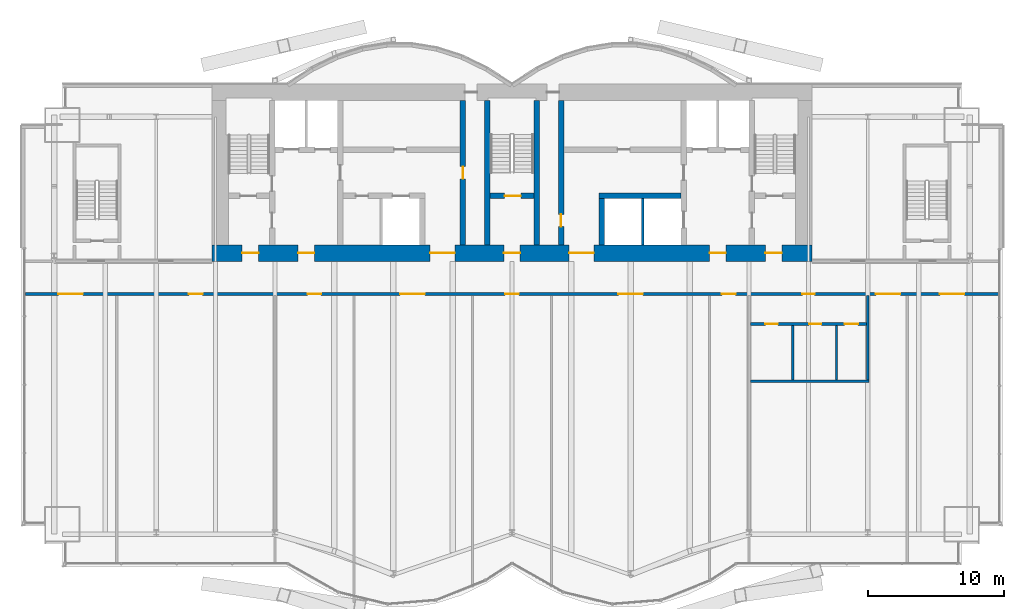
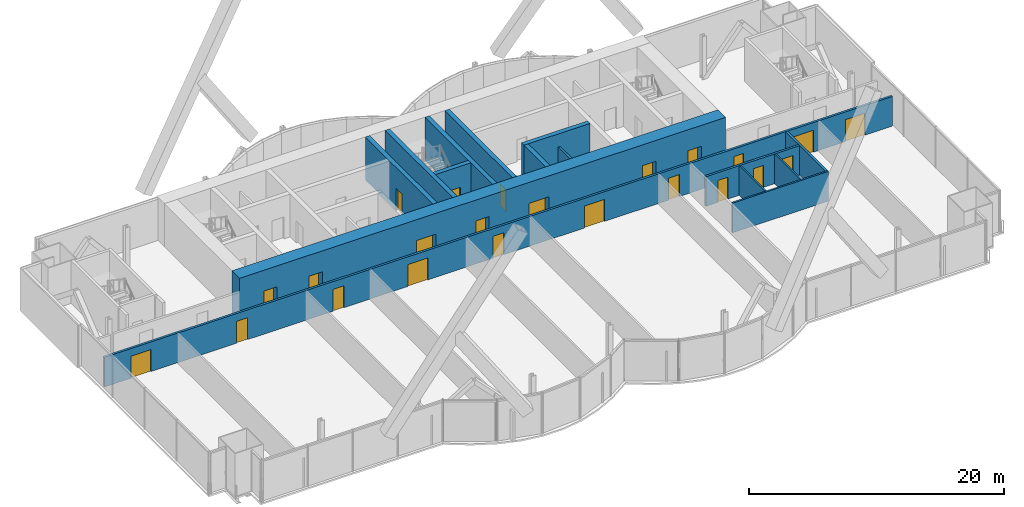
# One storey, part 18 of 23: 23 doors, 15 walls, 23 openings.
"""IFC4 building model written with IfcOpenShell, lengths in metres."""

from ifc_helpers import new_model, si_unit, direction, frame, frame_2d, origin, place, context, subcontext, project, spatial, rectangle, extrude, material, layer, layer_set, type_object, element, fill, save


model = new_model("IFC4")

# Units and contexts
model_context = context("Model", 3, precision=1e-05, world=origin(), true_north=direction((0.0, 1.0)))
body_context = subcontext(model_context, "Body", "Model", "MODEL_VIEW")
ifc_project = project(units=[si_unit("LENGTHUNIT", "METRE"), si_unit("AREAUNIT", "SQUARE_METRE"), si_unit("VOLUMEUNIT", "CUBIC_METRE"), si_unit("PLANEANGLEUNIT", "RADIAN"), si_unit("MASSUNIT", "GRAM", prefix="KILO")], contexts=[model_context])

# Site, building, storey
site_placement = place(None, origin())
site = spatial("IfcSite", under=ifc_project, at=site_placement, CompositionType="ELEMENT")
building_placement = place(site_placement, origin())
building = spatial("IfcBuilding", under=site, at=building_placement, Name="Bicima Exchange Tower", CompositionType="ELEMENT")
storey_placement = place(building_placement, frame((0.0, 0.0, 152.699951171875)))
storey = spatial("IfcBuildingStorey", under=building, at=storey_placement, Name="L33", CompositionType="ELEMENT", Elevation=152.699951171875)

# Wall
ifc_material_1 = material(Name="Gypsum board partition")
ifc_layer_1 = layer(ifc_material_1, 0.199951171875)
ifc_layer_set_1 = layer_set([ifc_layer_1], Name="Gypsum board partition")
wall_type_1 = type_object("IfcWallType", Name="Fire-rated gypsum partition 200 EI120", PredefinedType="PARTITIONING", material=ifc_layer_set_1)
wall_1_placement = place(storey_placement, frame((9.60009765625, -11.800048828125, 0.0), z_axis=(0.0, 0.0, 1.0), x_axis=(0.0, 1.0, 0.0)))
element("IfcWall", 1, at=wall_1_placement, inside=storey, type_object=wall_type_1, Name="partition wall 18", PredefinedType="PARTITIONING", context=body_context, shape_type="SweptSolid", body=[
    extrude(rectangle(XDim=3.400146484375, YDim=0.199951171875, at=frame_2d((1.7001953125, 0.0))), origin(), (0.0, 0.0, 1.0), 2.84033203125),
])

# Wall, openings, doors
ifc_layer_2 = layer(ifc_material_1, 0.199951171875)
ifc_layer_set_2 = layer_set([ifc_layer_2], Name="Gypsum board partition")
wall_type_2 = type_object("IfcWallType", Name="Fire-rated gypsum partition 200 EI60", PredefinedType="PARTITIONING", material=ifc_layer_set_2)
wall_2_placement = place(storey_placement, frame((17.5, -17.60009765625, 0.0), z_axis=(0.0, 0.0, 1.0), x_axis=(1.0, 0.0, 0.0)))
wall_2 = element("IfcWall", 2, at=wall_2_placement, inside=storey, type_object=wall_type_2, Name="partition wall 2", PredefinedType="PARTITIONING", context=body_context, shape_type="SweptSolid", body=[
    extrude(rectangle(XDim=8.5, YDim=0.199951171875, at=frame_2d((4.25, 0.0))), origin(), (0.0, 0.0, 1.0), 2.84033203125),
])
opening_1_placement = place(wall_2_placement, frame((1.10009765625, 0.0, 0.0)))
opening_1 = element("IfcOpeningElement", 3, at=opening_1_placement, cuts=wall_2, Name="Opening L33-015", PredefinedType="OPENING", context=body_context, shape_type="SweptSolid", body=[
    extrude(rectangle(XDim=0.89990234375, YDim=2.10009765625, at=frame_2d((0.449951171875, 1.050048828125))), frame((0.0, 0.11181640625, 0.0), z_axis=(0.0, -1.0, 0.0), x_axis=(1.0, 0.0, 0.0)), (0.0, 0.0, 1.0), 0.223876953125),
])
opening_2_placement = place(wall_2_placement, frame((4.300048828125, 0.0, 0.0)))
opening_2 = element("IfcOpeningElement", 4, at=opening_2_placement, cuts=wall_2, Name="Opening L33-016", PredefinedType="OPENING", context=body_context, shape_type="SweptSolid", body=[
    extrude(rectangle(XDim=0.89990234375, YDim=2.10009765625, at=frame_2d((0.449951171875, 1.050048828125))), frame((0.0, 0.11181640625, 0.0), z_axis=(0.0, -1.0, 0.0), x_axis=(1.0, 0.0, 0.0)), (0.0, 0.0, 1.0), 0.223876953125),
])
opening_3_placement = place(wall_2_placement, frame((6.89990234375, 0.0, 0.0)))
opening_3 = element("IfcOpeningElement", 5, at=opening_3_placement, cuts=wall_2, Name="Opening L33-017", PredefinedType="OPENING", context=body_context, shape_type="SweptSolid", body=[
    extrude(rectangle(XDim=1.0, YDim=2.10009765625, at=frame_2d((0.5, 1.050048828125))), frame((0.0, 0.11181640625, 0.0), z_axis=(0.0, -1.0, 0.0), x_axis=(1.0, 0.0, 0.0)), (0.0, 0.0, 1.0), 0.223876953125),
])
ifc_material_2 = material(Name="Steel fire door leaf", Category="steel")
door_type_1 = type_object("IfcDoorType", Name="Door 1000 swing FD30S", OperationType="SINGLE_SWING_LEFT", PredefinedType="DOOR", material=ifc_material_2)
door_1_placement = place(opening_3_placement, frame((1.0, 0.0, 0.0), z_axis=(0.0, 0.0, 1.0), x_axis=(-1.0, 0.0, 0.0)))
door_1 = element("IfcDoor", 6, at=door_1_placement, inside=storey, type_object=door_type_1, Name="Door", OperationType="SINGLE_SWING_RIGHT", OverallHeight=2.10009765625, OverallWidth=1.0, PredefinedType="DOOR", context=body_context, shape_type="SweptSolid", body=[
    extrude(rectangle(XDim=1.0, YDim=2.10009765625, at=frame_2d((0.5, 1.050048828125))), frame((0.0, 0.02490234375, 0.0), z_axis=(0.0, -1.0, 0.0), x_axis=(1.0, 0.0, 0.0)), (0.0, 0.0, 1.0), 0.050048828125),
])
fill(opening_3, door_1)
door_type_2 = type_object("IfcDoorType", Name="Door 900 swing FD30S", OperationType="SINGLE_SWING_LEFT", PredefinedType="DOOR", material=ifc_material_2)
door_2_placement = place(opening_1_placement, frame((0.89990234375, 0.0, 0.0), z_axis=(0.0, 0.0, 1.0), x_axis=(-1.0, 0.0, 0.0)))
door_2 = element("IfcDoor", 7, at=door_2_placement, inside=storey, type_object=door_type_2, Name="Door", OperationType="SINGLE_SWING_RIGHT", OverallHeight=2.10009765625, OverallWidth=0.89990234375, PredefinedType="DOOR", context=body_context, shape_type="SweptSolid", body=[
    extrude(rectangle(XDim=0.89990234375, YDim=2.10009765625, at=frame_2d((0.449951171875, 1.050048828125))), frame((0.0, 0.02490234375, 0.0), z_axis=(0.0, -1.0, 0.0), x_axis=(1.0, 0.0, 0.0)), (0.0, 0.0, 1.0), 0.050048828125),
])
fill(opening_1, door_2)
door_3_placement = place(opening_2_placement, frame((0.89990234375, 0.0, 0.0), z_axis=(0.0, 0.0, 1.0), x_axis=(-1.0, 0.0, 0.0)))
door_3 = element("IfcDoor", 8, at=door_3_placement, inside=storey, type_object=door_type_2, Name="Door", OperationType="SINGLE_SWING_LEFT", OverallHeight=2.10009765625, OverallWidth=0.89990234375, PredefinedType="DOOR", context=body_context, shape_type="SweptSolid", body=[
    extrude(rectangle(XDim=0.89990234375, YDim=2.10009765625, at=frame_2d((0.449951171875, 1.050048828125))), frame((0.0, 0.02490234375, 0.0), z_axis=(0.0, -1.0, 0.0), x_axis=(1.0, 0.0, 0.0)), (0.0, 0.0, 1.0), 0.050048828125),
])
fill(opening_2, door_3)

wall_3_placement = place(storey_placement, frame((-35.679931640625, -15.39990234375, 0.0), z_axis=(0.0, 0.0, 1.0), x_axis=(1.0, 0.0, 0.0)))
wall_3 = element("IfcWall", 9, at=wall_3_placement, inside=storey, type_object=wall_type_2, Name="partition wall 3", PredefinedType="PARTITIONING", context=body_context, shape_type="SweptSolid", body=[
    extrude(rectangle(XDim=71.35986328125, YDim=0.199951171875, at=frame_2d((35.679931640625, 0.0))), origin(), (0.0, 0.0, 1.0), 2.84033203125),
])
opening_4_placement = place(wall_3_placement, frame((2.39990234375, 0.0, 0.0)))
opening_4 = element("IfcOpeningElement", 10, at=opening_4_placement, cuts=wall_3, Name="Opening L33-007", PredefinedType="OPENING", context=body_context, shape_type="SweptSolid", body=[
    extrude(rectangle(XDim=1.800048828125, YDim=2.10009765625, at=frame_2d((0.89990234375, 1.050048828125))), frame((0.0, 0.11181640625, 0.0), z_axis=(0.0, -1.0, 0.0), x_axis=(1.0, 0.0, 0.0)), (0.0, 0.0, 1.0), 0.223876953125),
])
opening_5_placement = place(wall_3_placement, frame((11.97998046875, 0.0, 0.0)))
opening_5 = element("IfcOpeningElement", 11, at=opening_5_placement, cuts=wall_3, Name="Opening L33-008", PredefinedType="OPENING", context=body_context, shape_type="SweptSolid", body=[
    extrude(rectangle(XDim=1.0, YDim=2.10009765625, at=frame_2d((0.5, 1.050048828125))), frame((0.0, 0.11181640625, 0.0), z_axis=(0.0, -1.0, 0.0), x_axis=(1.0, 0.0, 0.0)), (0.0, 0.0, 1.0), 0.223876953125),
])
opening_6_placement = place(wall_3_placement, frame((20.679931640625, 0.0, 0.0)))
opening_6 = element("IfcOpeningElement", 12, at=opening_6_placement, cuts=wall_3, Name="Opening L33-009", PredefinedType="OPENING", context=body_context, shape_type="SweptSolid", body=[
    extrude(rectangle(XDim=1.0, YDim=2.10009765625, at=frame_2d((0.5, 1.050048828125))), frame((0.0, 0.11181640625, 0.0), z_axis=(0.0, -1.0, 0.0), x_axis=(1.0, 0.0, 0.0)), (0.0, 0.0, 1.0), 0.223876953125),
])
opening_7_placement = place(wall_3_placement, frame((27.47998046875, 0.0, 0.0)))
opening_7 = element("IfcOpeningElement", 13, at=opening_7_placement, cuts=wall_3, Name="Opening L33-010", PredefinedType="OPENING", context=body_context, shape_type="SweptSolid", body=[
    extrude(rectangle(XDim=1.800048828125, YDim=2.10009765625, at=frame_2d((0.89990234375, 1.050048828125))), frame((0.0, 0.11181640625, 0.0), z_axis=(0.0, -1.0, 0.0), x_axis=(1.0, 0.0, 0.0)), (0.0, 0.0, 1.0), 0.223876953125),
])
opening_8_placement = place(wall_3_placement, frame((35.179931640625, 0.0, 0.0)))
opening_8 = element("IfcOpeningElement", 14, at=opening_8_placement, cuts=wall_3, Name="Opening L33-011", PredefinedType="OPENING", context=body_context, shape_type="SweptSolid", body=[
    extrude(rectangle(XDim=1.0, YDim=2.10009765625, at=frame_2d((0.5, 1.050048828125))), frame((0.0, 0.11181640625, 0.0), z_axis=(0.0, -1.0, 0.0), x_axis=(1.0, 0.0, 0.0)), (0.0, 0.0, 1.0), 0.223876953125),
])
opening_9_placement = place(wall_3_placement, frame((43.47998046875, 0.0, 0.0)))
opening_9 = element("IfcOpeningElement", 15, at=opening_9_placement, cuts=wall_3, Name="Opening L33-012", PredefinedType="OPENING", context=body_context, shape_type="SweptSolid", body=[
    extrude(rectangle(XDim=1.800048828125, YDim=2.10009765625, at=frame_2d((0.89990234375, 1.050048828125))), frame((0.0, 0.11181640625, 0.0), z_axis=(0.0, -1.0, 0.0), x_axis=(1.0, 0.0, 0.0)), (0.0, 0.0, 1.0), 0.223876953125),
])
opening_10_placement = place(wall_3_placement, frame((51.080078125, 0.0, 0.0)))
opening_10 = element("IfcOpeningElement", 16, at=opening_10_placement, cuts=wall_3, Name="Opening L33-013", PredefinedType="OPENING", context=body_context, shape_type="SweptSolid", body=[
    extrude(rectangle(XDim=1.0, YDim=2.10009765625, at=frame_2d((0.5, 1.050048828125))), frame((0.0, 0.11181640625, 0.0), z_axis=(0.0, -1.0, 0.0), x_axis=(1.0, 0.0, 0.0)), (0.0, 0.0, 1.0), 0.223876953125),
])
opening_11_placement = place(wall_3_placement, frame((56.97998046875, 0.0, 0.0)))
opening_11 = element("IfcOpeningElement", 17, at=opening_11_placement, cuts=wall_3, Name="Opening L33-014", PredefinedType="OPENING", context=body_context, shape_type="SweptSolid", body=[
    extrude(rectangle(XDim=0.89990234375, YDim=2.10009765625, at=frame_2d((0.449951171875, 1.050048828125))), frame((0.0, 0.11181640625, 0.0), z_axis=(0.0, -1.0, 0.0), x_axis=(1.0, 0.0, 0.0)), (0.0, 0.0, 1.0), 0.223876953125),
])
opening_12_placement = place(wall_3_placement, frame((62.3798828125, 0.0, 0.0)))
opening_12 = element("IfcOpeningElement", 18, at=opening_12_placement, cuts=wall_3, Name="Opening L33-018", PredefinedType="OPENING", context=body_context, shape_type="SweptSolid", body=[
    extrude(rectangle(XDim=1.800048828125, YDim=2.10009765625, at=frame_2d((0.89990234375, 1.050048828125))), frame((0.0, 0.11181640625, 0.0), z_axis=(0.0, -1.0, 0.0), x_axis=(1.0, 0.0, 0.0)), (0.0, 0.0, 1.0), 0.223876953125),
])
opening_13_placement = place(wall_3_placement, frame((67.080078125, 0.0, 0.0)))
opening_13 = element("IfcOpeningElement", 19, at=opening_13_placement, cuts=wall_3, Name="Opening L33-019", PredefinedType="OPENING", context=body_context, shape_type="SweptSolid", body=[
    extrude(rectangle(XDim=1.800048828125, YDim=2.10009765625, at=frame_2d((0.89990234375, 1.050048828125))), frame((0.0, 0.11181640625, 0.0), z_axis=(0.0, -1.0, 0.0), x_axis=(1.0, 0.0, 0.0)), (0.0, 0.0, 1.0), 0.223876953125),
])
door_4_placement = place(opening_5_placement, frame((1.0, 0.0, 0.0), z_axis=(0.0, 0.0, 1.0), x_axis=(-1.0, 0.0, 0.0)))
door_4 = element("IfcDoor", 20, at=door_4_placement, inside=storey, type_object=door_type_1, Name="Door", OperationType="SINGLE_SWING_RIGHT", OverallHeight=2.10009765625, OverallWidth=1.0, PredefinedType="DOOR", context=body_context, shape_type="SweptSolid", body=[
    extrude(rectangle(XDim=1.0, YDim=2.10009765625, at=frame_2d((0.5, 1.050048828125))), frame((0.0, 0.02490234375, 0.0), z_axis=(0.0, -1.0, 0.0), x_axis=(1.0, 0.0, 0.0)), (0.0, 0.0, 1.0), 0.050048828125),
])
fill(opening_5, door_4)
door_5_placement = place(opening_6_placement, frame((1.0, 0.0, 0.0), z_axis=(0.0, 0.0, 1.0), x_axis=(-1.0, 0.0, 0.0)))
door_5 = element("IfcDoor", 21, at=door_5_placement, inside=storey, type_object=door_type_1, Name="Door", OperationType="SINGLE_SWING_RIGHT", OverallHeight=2.10009765625, OverallWidth=1.0, PredefinedType="DOOR", context=body_context, shape_type="SweptSolid", body=[
    extrude(rectangle(XDim=1.0, YDim=2.10009765625, at=frame_2d((0.5, 1.050048828125))), frame((0.0, 0.02490234375, 0.0), z_axis=(0.0, -1.0, 0.0), x_axis=(1.0, 0.0, 0.0)), (0.0, 0.0, 1.0), 0.050048828125),
])
fill(opening_6, door_5)
door_6_placement = place(opening_8_placement, frame((1.0, 0.0, 0.0), z_axis=(0.0, 0.0, 1.0), x_axis=(-1.0, 0.0, 0.0)))
door_6 = element("IfcDoor", 22, at=door_6_placement, inside=storey, type_object=door_type_1, Name="Door", OperationType="SINGLE_SWING_RIGHT", OverallHeight=2.10009765625, OverallWidth=1.0, PredefinedType="DOOR", context=body_context, shape_type="SweptSolid", body=[
    extrude(rectangle(XDim=1.0, YDim=2.10009765625, at=frame_2d((0.5, 1.050048828125))), frame((0.0, 0.02490234375, 0.0), z_axis=(0.0, -1.0, 0.0), x_axis=(1.0, 0.0, 0.0)), (0.0, 0.0, 1.0), 0.050048828125),
])
fill(opening_8, door_6)
door_7_placement = place(opening_10_placement, frame((1.0, 0.0, 0.0), z_axis=(0.0, 0.0, 1.0), x_axis=(-1.0, 0.0, 0.0)))
door_7 = element("IfcDoor", 23, at=door_7_placement, inside=storey, type_object=door_type_1, Name="Door", OperationType="SINGLE_SWING_LEFT", OverallHeight=2.10009765625, OverallWidth=1.0, PredefinedType="DOOR", context=body_context, shape_type="SweptSolid", body=[
    extrude(rectangle(XDim=1.0, YDim=2.10009765625, at=frame_2d((0.5, 1.050048828125))), frame((0.0, 0.02490234375, 0.0), z_axis=(0.0, -1.0, 0.0), x_axis=(1.0, 0.0, 0.0)), (0.0, 0.0, 1.0), 0.050048828125),
])
fill(opening_10, door_7)
door_type_3 = type_object("IfcDoorType", Name="Door 1800 double swing FD30S", OperationType="DOUBLE_DOOR_SINGLE_SWING", PredefinedType="DOOR", material=ifc_material_2)
door_8_placement = place(opening_4_placement, origin())
door_8 = element("IfcDoor", 24, at=door_8_placement, inside=storey, type_object=door_type_3, Name="Door", OperationType="SINGLE_SWING_LEFT", OverallHeight=2.10009765625, OverallWidth=1.800048828125, PredefinedType="DOOR", context=body_context, shape_type="SweptSolid", body=[
    extrude(rectangle(XDim=1.800048828125, YDim=2.10009765625, at=frame_2d((0.89990234375, 1.050048828125))), frame((0.0, 0.02490234375, 0.0), z_axis=(0.0, -1.0, 0.0), x_axis=(1.0, 0.0, 0.0)), (0.0, 0.0, 1.0), 0.050048828125),
])
fill(opening_4, door_8)
door_9_placement = place(opening_7_placement, origin())
door_9 = element("IfcDoor", 25, at=door_9_placement, inside=storey, type_object=door_type_3, Name="Door", OperationType="SINGLE_SWING_LEFT", OverallHeight=2.10009765625, OverallWidth=1.800048828125, PredefinedType="DOOR", context=body_context, shape_type="SweptSolid", body=[
    extrude(rectangle(XDim=1.800048828125, YDim=2.10009765625, at=frame_2d((0.89990234375, 1.050048828125))), frame((0.0, 0.02490234375, 0.0), z_axis=(0.0, -1.0, 0.0), x_axis=(1.0, 0.0, 0.0)), (0.0, 0.0, 1.0), 0.050048828125),
])
fill(opening_7, door_9)
door_10_placement = place(opening_9_placement, origin())
door_10 = element("IfcDoor", 26, at=door_10_placement, inside=storey, type_object=door_type_3, Name="Door", OperationType="SINGLE_SWING_LEFT", OverallHeight=2.10009765625, OverallWidth=1.800048828125, PredefinedType="DOOR", context=body_context, shape_type="SweptSolid", body=[
    extrude(rectangle(XDim=1.800048828125, YDim=2.10009765625, at=frame_2d((0.89990234375, 1.050048828125))), frame((0.0, 0.02490234375, 0.0), z_axis=(0.0, -1.0, 0.0), x_axis=(1.0, 0.0, 0.0)), (0.0, 0.0, 1.0), 0.050048828125),
])
fill(opening_9, door_10)
door_11_placement = place(opening_12_placement, origin())
door_11 = element("IfcDoor", 27, at=door_11_placement, inside=storey, type_object=door_type_3, Name="Door", OperationType="SINGLE_SWING_LEFT", OverallHeight=2.10009765625, OverallWidth=1.800048828125, PredefinedType="DOOR", context=body_context, shape_type="SweptSolid", body=[
    extrude(rectangle(XDim=1.800048828125, YDim=2.10009765625, at=frame_2d((0.89990234375, 1.050048828125))), frame((0.0, 0.02490234375, 0.0), z_axis=(0.0, -1.0, 0.0), x_axis=(1.0, 0.0, 0.0)), (0.0, 0.0, 1.0), 0.050048828125),
])
fill(opening_12, door_11)
door_12_placement = place(opening_13_placement, origin())
door_12 = element("IfcDoor", 28, at=door_12_placement, inside=storey, type_object=door_type_3, Name="Door", OperationType="SINGLE_SWING_LEFT", OverallHeight=2.10009765625, OverallWidth=1.800048828125, PredefinedType="DOOR", context=body_context, shape_type="SweptSolid", body=[
    extrude(rectangle(XDim=1.800048828125, YDim=2.10009765625, at=frame_2d((0.89990234375, 1.050048828125))), frame((0.0, 0.02490234375, 0.0), z_axis=(0.0, -1.0, 0.0), x_axis=(1.0, 0.0, 0.0)), (0.0, 0.0, 1.0), 0.050048828125),
])
fill(opening_13, door_12)
door_13_placement = place(opening_11_placement, frame((0.89990234375, 0.0, 0.0), z_axis=(0.0, 0.0, 1.0), x_axis=(-1.0, 0.0, 0.0)))
door_13 = element("IfcDoor", 29, at=door_13_placement, inside=storey, type_object=door_type_2, Name="Door", OperationType="SINGLE_SWING_RIGHT", OverallHeight=2.10009765625, OverallWidth=0.89990234375, PredefinedType="DOOR", context=body_context, shape_type="SweptSolid", body=[
    extrude(rectangle(XDim=0.89990234375, YDim=2.10009765625, at=frame_2d((0.449951171875, 1.050048828125))), frame((0.0, 0.02490234375, 0.0), z_axis=(0.0, -1.0, 0.0), x_axis=(1.0, 0.0, 0.0)), (0.0, 0.0, 1.0), 0.050048828125),
])
fill(opening_11, door_13)

# Walls
wall_4_placement = place(storey_placement, frame((26.10009765625, -21.72509765625, 0.0), z_axis=(0.0, 0.0, 1.0), x_axis=(0.0, 1.0, 0.0)))
element("IfcWall", 30, at=wall_4_placement, inside=storey, type_object=wall_type_2, Name="partition wall 27", PredefinedType="PARTITIONING", context=body_context, shape_type="SweptSolid", body=[
    extrude(rectangle(XDim=6.22509765625, YDim=0.199951171875, at=frame_2d((3.112548828125, 0.0))), origin(), (0.0, 0.0, 1.0), 2.84033203125),
])
ifc_layer_3 = layer(ifc_material_1, 0.14990234375)
ifc_layer_set_3 = layer_set([ifc_layer_3], Name="Gypsum board partition")
wall_type_3 = type_object("IfcWallType", Name="Gypsum partition 150", PredefinedType="PARTITIONING", material=ifc_layer_set_3)
wall_5_placement = place(storey_placement, frame((17.5, -21.800048828125, 0.0), z_axis=(0.0, 0.0, 1.0), x_axis=(1.0, 0.0, 0.0)))
element("IfcWall", 31, at=wall_5_placement, inside=storey, type_object=wall_type_3, Name="partition wall 1", PredefinedType="PARTITIONING", context=body_context, shape_type="SweptSolid", body=[
    extrude(rectangle(XDim=8.699951171875, YDim=0.14990234375, at=frame_2d((4.35009765625, 0.0))), origin(), (0.0, 0.0, 1.0), 2.84033203125),
])
for number, where, z_axis, x_axis, name in (
    (32, (20.60009765625, -21.72509765625, 0.0), (0.0, 0.0, 1.0), (0.0, 1.0, 0.0), "partition wall 25"),
    (33, (23.800048828125, -21.72509765625, 0.0), (0.0, 0.0, 1.0), (0.0, 1.0, 0.0), "partition wall 26"),
):
    element("IfcWall", number, at=place(storey_placement, frame(where, z_axis=z_axis, x_axis=x_axis)), inside=storey, type_object=wall_type_3, Name=name, PredefinedType="PARTITIONING", context=body_context, shape_type="SweptSolid", body=[
        extrude(rectangle(XDim=4.025146484375, YDim=0.14990234375, at=frame_2d((2.0126953125, 0.0))), origin(), (0.0, 0.0, 1.0), 2.84033203125),
    ])

# Wall, openings, doors
ifc_material_3 = material(Name="Concrete C50/60", Category="concrete")
ifc_layer_4 = layer(ifc_material_3, 1.199951171875)
ifc_layer_set_4 = layer_set([ifc_layer_4], Name="Concrete C50/60")
wall_type_4 = type_object("IfcWallType", Name="RC core wall 1200 C50/60", PredefinedType="SHEAR", material=ifc_layer_set_4)
wall_6_placement = place(storey_placement, frame((-22.0, -12.39990234375, 0.0), z_axis=(0.0, 0.0, 1.0), x_axis=(1.0, 0.0, 0.0)))
wall_6 = element("IfcWall", 34, at=wall_6_placement, inside=storey, type_object=wall_type_4, Name="Core wall south", PredefinedType="SHEAR", context=body_context, shape_type="SweptSolid", body=[
    extrude(rectangle(XDim=44.0, YDim=1.199951171875, at=frame_2d((22.0, 0.0))), origin(), (0.0, 0.0, 1.0), 4.10009765625),
])
opening_14_placement = place(wall_6_placement, frame((2.199951171875, 0.0, 0.0)))
opening_14 = element("IfcOpeningElement", 35, at=opening_14_placement, cuts=wall_6, Name="Opening L33-C17", PredefinedType="OPENING", context=body_context, shape_type="SweptSolid", body=[
    extrude(rectangle(XDim=1.199951171875, YDim=2.10009765625, at=frame_2d((0.60009765625, 1.050048828125))), frame((0.0, 0.61181640625, 0.0), z_axis=(0.0, -1.0, 0.0), x_axis=(1.0, 0.0, 0.0)), (0.0, 0.0, 1.0), 1.223876953125),
])
opening_15_placement = place(wall_6_placement, frame((21.39990234375, 0.0, 0.0)))
opening_15 = element("IfcOpeningElement", 36, at=opening_15_placement, cuts=wall_6, Name="Opening L33-C18", PredefinedType="OPENING", context=body_context, shape_type="SweptSolid", body=[
    extrude(rectangle(XDim=1.199951171875, YDim=2.10009765625, at=frame_2d((0.60009765625, 1.050048828125))), frame((0.0, 0.61181640625, 0.0), z_axis=(0.0, -1.0, 0.0), x_axis=(1.0, 0.0, 0.0)), (0.0, 0.0, 1.0), 1.223876953125),
])
opening_16_placement = place(wall_6_placement, frame((40.60009765625, 0.0, 0.0)))
opening_16 = element("IfcOpeningElement", 37, at=opening_16_placement, cuts=wall_6, Name="Opening L33-C19", PredefinedType="OPENING", context=body_context, shape_type="SweptSolid", body=[
    extrude(rectangle(XDim=1.199951171875, YDim=2.10009765625, at=frame_2d((0.60009765625, 1.050048828125))), frame((0.0, 0.61181640625, 0.0), z_axis=(0.0, -1.0, 0.0), x_axis=(1.0, 0.0, 0.0)), (0.0, 0.0, 1.0), 1.223876953125),
])
opening_17_placement = place(wall_6_placement, frame((16.0, 0.0, 0.0)))
opening_17 = element("IfcOpeningElement", 38, at=opening_17_placement, cuts=wall_6, Name="Opening L33-C20", PredefinedType="OPENING", context=body_context, shape_type="SweptSolid", body=[
    extrude(rectangle(XDim=1.800048828125, YDim=2.10009765625, at=frame_2d((0.89990234375, 1.050048828125))), frame((0.0, 0.61181640625, 0.0), z_axis=(0.0, -1.0, 0.0), x_axis=(1.0, 0.0, 0.0)), (0.0, 0.0, 1.0), 1.223876953125),
])
opening_18_placement = place(wall_6_placement, frame((6.300048828125, 0.0, 0.0)))
opening_18 = element("IfcOpeningElement", 39, at=opening_18_placement, cuts=wall_6, Name="Opening L33-C21", PredefinedType="OPENING", context=body_context, shape_type="SweptSolid", body=[
    extrude(rectangle(XDim=1.199951171875, YDim=2.10009765625, at=frame_2d((0.60009765625, 1.050048828125))), frame((0.0, 0.61181640625, 0.0), z_axis=(0.0, -1.0, 0.0), x_axis=(1.0, 0.0, 0.0)), (0.0, 0.0, 1.0), 1.223876953125),
])
opening_19_placement = place(wall_6_placement, frame((26.199951171875, 0.0, 0.0)))
opening_19 = element("IfcOpeningElement", 40, at=opening_19_placement, cuts=wall_6, Name="Opening L33-C22", PredefinedType="OPENING", context=body_context, shape_type="SweptSolid", body=[
    extrude(rectangle(XDim=1.800048828125, YDim=2.10009765625, at=frame_2d((0.89990234375, 1.050048828125))), frame((0.0, 0.61181640625, 0.0), z_axis=(0.0, -1.0, 0.0), x_axis=(1.0, 0.0, 0.0)), (0.0, 0.0, 1.0), 1.223876953125),
])
opening_20_placement = place(wall_6_placement, frame((36.5, 0.0, 0.0)))
opening_20 = element("IfcOpeningElement", 41, at=opening_20_placement, cuts=wall_6, Name="Opening L33-C23", PredefinedType="OPENING", context=body_context, shape_type="SweptSolid", body=[
    extrude(rectangle(XDim=1.199951171875, YDim=2.10009765625, at=frame_2d((0.60009765625, 1.050048828125))), frame((0.0, 0.61181640625, 0.0), z_axis=(0.0, -1.0, 0.0), x_axis=(1.0, 0.0, 0.0)), (0.0, 0.0, 1.0), 1.223876953125),
])
door_type_4 = type_object("IfcDoorType", Name="Door 1200 swing FD60S", OperationType="SINGLE_SWING_LEFT", PredefinedType="DOOR", material=ifc_material_2)
door_14_placement = place(opening_14_placement, frame((1.199951171875, 0.0, 0.0), z_axis=(0.0, 0.0, 1.0), x_axis=(-1.0, 0.0, 0.0)))
door_14 = element("IfcDoor", 42, at=door_14_placement, inside=storey, type_object=door_type_4, Name="Core door", OperationType="SINGLE_SWING_RIGHT", OverallHeight=2.10009765625, OverallWidth=1.199951171875, PredefinedType="DOOR", context=body_context, shape_type="SweptSolid", body=[
    extrude(rectangle(XDim=1.199951171875, YDim=2.10009765625, at=frame_2d((0.60009765625, 1.050048828125))), frame((0.0, 0.02490234375, 0.0), z_axis=(0.0, -1.0, 0.0), x_axis=(1.0, 0.0, 0.0)), (0.0, 0.0, 1.0), 0.050048828125),
])
fill(opening_14, door_14)
door_15_placement = place(opening_15_placement, frame((1.199951171875, 0.0, 0.0), z_axis=(0.0, 0.0, 1.0), x_axis=(-1.0, 0.0, 0.0)))
door_15 = element("IfcDoor", 43, at=door_15_placement, inside=storey, type_object=door_type_4, Name="Core door", OperationType="SINGLE_SWING_RIGHT", OverallHeight=2.10009765625, OverallWidth=1.199951171875, PredefinedType="DOOR", context=body_context, shape_type="SweptSolid", body=[
    extrude(rectangle(XDim=1.199951171875, YDim=2.10009765625, at=frame_2d((0.60009765625, 1.050048828125))), frame((0.0, 0.02490234375, 0.0), z_axis=(0.0, -1.0, 0.0), x_axis=(1.0, 0.0, 0.0)), (0.0, 0.0, 1.0), 0.050048828125),
])
fill(opening_15, door_15)
door_16_placement = place(opening_16_placement, frame((1.199951171875, 0.0, 0.0), z_axis=(0.0, 0.0, 1.0), x_axis=(-1.0, 0.0, 0.0)))
door_16 = element("IfcDoor", 44, at=door_16_placement, inside=storey, type_object=door_type_4, Name="Core door", OperationType="SINGLE_SWING_RIGHT", OverallHeight=2.10009765625, OverallWidth=1.199951171875, PredefinedType="DOOR", context=body_context, shape_type="SweptSolid", body=[
    extrude(rectangle(XDim=1.199951171875, YDim=2.10009765625, at=frame_2d((0.60009765625, 1.050048828125))), frame((0.0, 0.02490234375, 0.0), z_axis=(0.0, -1.0, 0.0), x_axis=(1.0, 0.0, 0.0)), (0.0, 0.0, 1.0), 0.050048828125),
])
fill(opening_16, door_16)
door_17_placement = place(opening_18_placement, frame((1.199951171875, 0.0, 0.0), z_axis=(0.0, 0.0, 1.0), x_axis=(-1.0, 0.0, 0.0)))
door_17 = element("IfcDoor", 45, at=door_17_placement, inside=storey, type_object=door_type_4, Name="Core door", OperationType="SINGLE_SWING_RIGHT", OverallHeight=2.10009765625, OverallWidth=1.199951171875, PredefinedType="DOOR", context=body_context, shape_type="SweptSolid", body=[
    extrude(rectangle(XDim=1.199951171875, YDim=2.10009765625, at=frame_2d((0.60009765625, 1.050048828125))), frame((0.0, 0.02490234375, 0.0), z_axis=(0.0, -1.0, 0.0), x_axis=(1.0, 0.0, 0.0)), (0.0, 0.0, 1.0), 0.050048828125),
])
fill(opening_18, door_17)
door_18_placement = place(opening_20_placement, frame((1.199951171875, 0.0, 0.0), z_axis=(0.0, 0.0, 1.0), x_axis=(-1.0, 0.0, 0.0)))
door_18 = element("IfcDoor", 46, at=door_18_placement, inside=storey, type_object=door_type_4, Name="Core door", OperationType="SINGLE_SWING_RIGHT", OverallHeight=2.10009765625, OverallWidth=1.199951171875, PredefinedType="DOOR", context=body_context, shape_type="SweptSolid", body=[
    extrude(rectangle(XDim=1.199951171875, YDim=2.10009765625, at=frame_2d((0.60009765625, 1.050048828125))), frame((0.0, 0.02490234375, 0.0), z_axis=(0.0, -1.0, 0.0), x_axis=(1.0, 0.0, 0.0)), (0.0, 0.0, 1.0), 0.050048828125),
])
fill(opening_20, door_18)
door_19_placement = place(opening_17_placement, origin())
door_19 = element("IfcDoor", 47, at=door_19_placement, inside=storey, type_object=door_type_3, Name="Core door", OperationType="SINGLE_SWING_LEFT", OverallHeight=2.10009765625, OverallWidth=1.800048828125, PredefinedType="DOOR", context=body_context, shape_type="SweptSolid", body=[
    extrude(rectangle(XDim=1.800048828125, YDim=2.10009765625, at=frame_2d((0.89990234375, 1.050048828125))), frame((0.0, 0.02490234375, 0.0), z_axis=(0.0, -1.0, 0.0), x_axis=(1.0, 0.0, 0.0)), (0.0, 0.0, 1.0), 0.050048828125),
])
fill(opening_17, door_19)
door_20_placement = place(opening_19_placement, origin())
door_20 = element("IfcDoor", 48, at=door_20_placement, inside=storey, type_object=door_type_3, Name="Core door", OperationType="SINGLE_SWING_LEFT", OverallHeight=2.10009765625, OverallWidth=1.800048828125, PredefinedType="DOOR", context=body_context, shape_type="SweptSolid", body=[
    extrude(rectangle(XDim=1.800048828125, YDim=2.10009765625, at=frame_2d((0.89990234375, 1.050048828125))), frame((0.0, 0.02490234375, 0.0), z_axis=(0.0, -1.0, 0.0), x_axis=(1.0, 0.0, 0.0)), (0.0, 0.0, 1.0), 0.050048828125),
])
fill(opening_19, door_20)

# Wall, opening, door
ifc_layer_5 = layer(ifc_material_3, 0.39990234375)
ifc_layer_set_5 = layer_set([ifc_layer_5], Name="Concrete C50/60")
wall_type_5 = type_object("IfcWallType", Name="RC core wall 400 C50/60", PredefinedType="SHEAR", material=ifc_layer_set_5)
wall_7_placement = place(storey_placement, frame((-1.60009765625, -8.199951171875, 0.0), z_axis=(0.0, 0.0, 1.0), x_axis=(1.0, 0.0, 0.0)))
wall_7 = element("IfcWall", 49, at=wall_7_placement, inside=storey, type_object=wall_type_5, Name="stair wall 3", PredefinedType="SHEAR", context=body_context, shape_type="SweptSolid", body=[
    extrude(rectangle(XDim=3.2001953125, YDim=0.39990234375, at=frame_2d((1.60009765625, 0.0))), origin(), (0.0, 0.0, 1.0), 4.10009765625),
])
opening_21_placement = place(wall_7_placement, frame((1.050048828125, 0.0, 0.0)))
opening_21 = element("IfcOpeningElement", 50, at=opening_21_placement, cuts=wall_7, Name="Opening L33-C03", PredefinedType="OPENING", context=body_context, shape_type="SweptSolid", body=[
    extrude(rectangle(XDim=1.199951171875, YDim=2.10009765625, at=frame_2d((0.60009765625, 1.050048828125))), frame((0.0, 0.2119140625, 0.0), z_axis=(0.0, -1.0, 0.0), x_axis=(1.0, 0.0, 0.0)), (0.0, 0.0, 1.0), 0.423828125),
])
door_21_placement = place(opening_21_placement, origin())
door_21 = element("IfcDoor", 51, at=door_21_placement, inside=storey, type_object=door_type_4, Name="Core door", OperationType="SINGLE_SWING_LEFT", OverallHeight=2.10009765625, OverallWidth=1.199951171875, PredefinedType="DOOR", context=body_context, shape_type="SweptSolid", body=[
    extrude(rectangle(XDim=1.199951171875, YDim=2.10009765625, at=frame_2d((0.60009765625, 1.050048828125))), frame((0.0, 0.02490234375, 0.0), z_axis=(0.0, -1.0, 0.0), x_axis=(1.0, 0.0, 0.0)), (0.0, 0.0, 1.0), 0.050048828125),
])
fill(opening_21, door_21)

# Wall
wall_8_placement = place(storey_placement, frame((6.39990234375, -8.199951171875, 0.0), z_axis=(0.0, 0.0, 1.0), x_axis=(1.0, 0.0, 0.0)))
element("IfcWall", 52, at=wall_8_placement, inside=storey, type_object=wall_type_5, Name="shear wall 4", PredefinedType="SHEAR", context=body_context, shape_type="SweptSolid", body=[
    extrude(rectangle(XDim=6.0, YDim=0.39990234375, at=frame_2d((3.0, 0.0))), origin(), (0.0, 0.0, 1.0), 4.10009765625),
])

# Wall, opening, door
wall_9_placement = place(storey_placement, frame((-3.60009765625, -11.800048828125, 0.0), z_axis=(0.0, 0.0, 1.0), x_axis=(0.0, 1.0, 0.0)))
wall_9 = element("IfcWall", 53, at=wall_9_placement, inside=storey, type_object=wall_type_5, Name="shear wall 13", PredefinedType="SHEAR", context=body_context, shape_type="SweptSolid", body=[
    extrude(rectangle(XDim=10.60009765625, YDim=0.39990234375, at=frame_2d((5.300048828125, 0.0))), origin(), (0.0, 0.0, 1.0), 4.10009765625),
])
opening_22_placement = place(wall_9_placement, frame((4.85009765625, 0.0, 0.0)))
opening_22 = element("IfcOpeningElement", 54, at=opening_22_placement, cuts=wall_9, Name="Opening L33-C10", PredefinedType="OPENING", context=body_context, shape_type="SweptSolid", body=[
    extrude(rectangle(XDim=0.89990234375, YDim=2.10009765625, at=frame_2d((0.449951171875, 1.050048828125))), frame((0.0, 0.2119140625, 0.0), z_axis=(0.0, -1.0, 0.0), x_axis=(1.0, 0.0, 0.0)), (0.0, 0.0, 1.0), 0.423828125),
])
door_22_placement = place(opening_22_placement, frame((0.89990234375, 0.0, 0.0), z_axis=(0.0, 0.0, 1.0), x_axis=(-1.0, 0.0, 0.0)))
door_22 = element("IfcDoor", 55, at=door_22_placement, inside=storey, type_object=door_type_2, Name="Core door", OperationType="SINGLE_SWING_LEFT", OverallHeight=2.10009765625, OverallWidth=0.89990234375, PredefinedType="DOOR", context=body_context, shape_type="SweptSolid", body=[
    extrude(rectangle(XDim=0.89990234375, YDim=2.10009765625, at=frame_2d((0.449951171875, 1.050048828125))), frame((0.0, 0.02490234375, 0.0), z_axis=(0.0, -1.0, 0.0), x_axis=(1.0, 0.0, 0.0)), (0.0, 0.0, 1.0), 0.050048828125),
])
fill(opening_22, door_22)

# Walls
for number, where, z_axis, x_axis, name in (
    (56, (-1.800048828125, -11.800048828125, 0.0), (0.0, 0.0, 1.0), (0.0, 1.0, 0.0), "stair wall 14"),
    (57, (1.800048828125, -11.800048828125, 0.0), (0.0, 0.0, 1.0), (0.0, 1.0, 0.0), "stair wall 15"),
):
    element("IfcWall", number, at=place(storey_placement, frame(where, z_axis=z_axis, x_axis=x_axis)), inside=storey, type_object=wall_type_5, Name=name, PredefinedType="SHEAR", context=body_context, shape_type="SweptSolid", body=[
        extrude(rectangle(XDim=10.60009765625, YDim=0.39990234375, at=frame_2d((5.300048828125, 0.0))), origin(), (0.0, 0.0, 1.0), 4.10009765625),
    ])

# Wall, opening, door
wall_10_placement = place(storey_placement, frame((3.60009765625, -11.800048828125, 0.0), z_axis=(0.0, 0.0, 1.0), x_axis=(0.0, 1.0, 0.0)))
wall_10 = element("IfcWall", 58, at=wall_10_placement, inside=storey, type_object=wall_type_5, Name="shear wall 16", PredefinedType="SHEAR", context=body_context, shape_type="SweptSolid", body=[
    extrude(rectangle(XDim=10.60009765625, YDim=0.39990234375, at=frame_2d((5.300048828125, 0.0))), origin(), (0.0, 0.0, 1.0), 4.10009765625),
])
opening_23_placement = place(wall_10_placement, frame((1.35009765625, 0.0, 0.0)))
opening_23 = element("IfcOpeningElement", 59, at=opening_23_placement, cuts=wall_10, Name="Opening L33-C11", PredefinedType="OPENING", context=body_context, shape_type="SweptSolid", body=[
    extrude(rectangle(XDim=0.89990234375, YDim=2.10009765625, at=frame_2d((0.449951171875, 1.050048828125))), frame((0.0, 0.2119140625, 0.0), z_axis=(0.0, -1.0, 0.0), x_axis=(1.0, 0.0, 0.0)), (0.0, 0.0, 1.0), 0.423828125),
])
door_23_placement = place(opening_23_placement, origin())
door_23 = element("IfcDoor", 60, at=door_23_placement, inside=storey, type_object=door_type_2, Name="Core door", OperationType="SINGLE_SWING_LEFT", OverallHeight=2.10009765625, OverallWidth=0.89990234375, PredefinedType="DOOR", context=body_context, shape_type="SweptSolid", body=[
    extrude(rectangle(XDim=0.89990234375, YDim=2.10009765625, at=frame_2d((0.449951171875, 1.050048828125))), frame((0.0, 0.02490234375, 0.0), z_axis=(0.0, -1.0, 0.0), x_axis=(1.0, 0.0, 0.0)), (0.0, 0.0, 1.0), 0.050048828125),
])
fill(opening_23, door_23)

# Wall
wall_11_placement = place(storey_placement, frame((6.60009765625, -11.800048828125, 0.0), z_axis=(0.0, 0.0, 1.0), x_axis=(0.0, 1.0, 0.0)))
element("IfcWall", 61, at=wall_11_placement, inside=storey, type_object=wall_type_5, Name="shear wall 17", PredefinedType="SHEAR", context=body_context, shape_type="SweptSolid", body=[
    extrude(rectangle(XDim=3.400146484375, YDim=0.39990234375, at=frame_2d((1.7001953125, 0.0))), origin(), (0.0, 0.0, 1.0), 4.10009765625),
])

save(model, "model.ifc")
